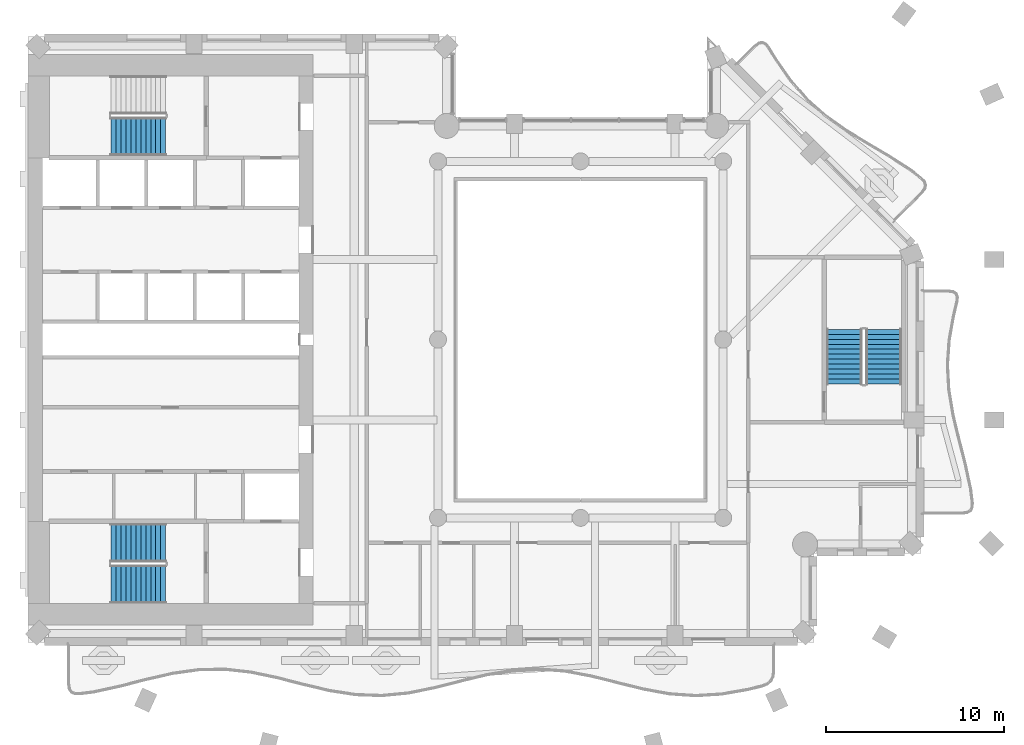
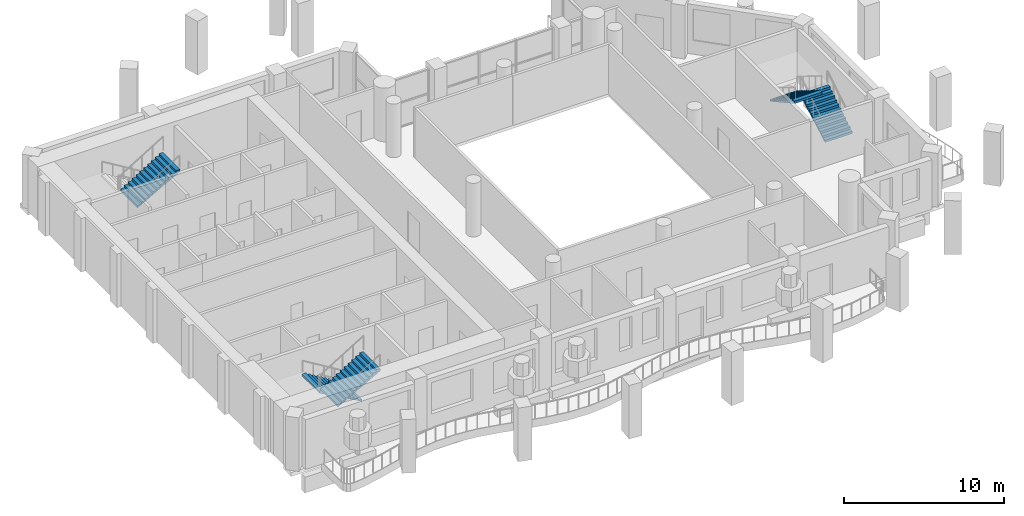
# One storey, part 7 of 14: 5 stair flights, 3 elements without a shape of their own.
"""IFC4 building model written with IfcOpenShell, lengths in metres."""

from ifc_helpers import new_model, si_unit, direction, frame, origin, place, context, subcontext, project, spatial, triangles, material, type_object, element, aggregate, save


model = new_model("IFC4")

# Units and contexts
model_context = context("Model", 3, precision=1e-05, world=origin(), true_north=direction((0.0, 1.0)))
body_context = subcontext(model_context, "Body", "Model", "MODEL_VIEW")
ifc_project = project(units=[si_unit("LENGTHUNIT", "METRE"), si_unit("AREAUNIT", "SQUARE_METRE"), si_unit("VOLUMEUNIT", "CUBIC_METRE"), si_unit("PLANEANGLEUNIT", "RADIAN"), si_unit("MASSUNIT", "GRAM", prefix="KILO")], contexts=[model_context])

# Site, building, storey
site_placement = place(None, origin())
site = spatial("IfcSite", under=ifc_project, at=site_placement, CompositionType="ELEMENT")
building_placement = place(site_placement, origin())
building = spatial("IfcBuilding", under=site, at=building_placement, Name="Cypress Arch Tower", CompositionType="ELEMENT")
storey_placement = place(building_placement, frame((0.0, 0.0, 222.0)))
storey = spatial("IfcBuildingStorey", under=building, at=storey_placement, Name="L49", CompositionType="ELEMENT", Elevation=222.0)

# Stair, stair flights
ifc_material_1 = material(Name="Concrete C40/50", Category="concrete")
stair_type_1 = type_object("IfcStairType", Name="Exit stair ES1708-200", PredefinedType="HALF_TURN_STAIR", material=ifc_material_1)
stair_1_placement = place(storey_placement, origin())
stair_1 = element("IfcStair", 1, at=stair_1_placement, inside=storey, type_object=stair_type_1, Name="L49 Exit stair C", PredefinedType="HALF_TURN_STAIR")
ifc_material_2 = material(Name="Concrete C40/50", Category="concrete")
stair_flight_type_1 = type_object("IfcStairFlightType", Name="Exit stair flight ES1708-200", PredefinedType="STRAIGHT", material=ifc_material_2)
stair_flight_1_placement = place(storey_placement, frame((18.0, -2.5, 0.0), z_axis=(0.0, 0.0, 1.0), x_axis=(0.0, 1.0, 0.0)))
stair_flight_1 = element("IfcStairFlight", 2, at=stair_flight_1_placement, type_object=stair_flight_type_1, Name="C flight 1", NumberOfRisers=12, NumberOfTreads=11, PredefinedType="STRAIGHT", RiserHeight=0.170833333, TreadLength=0.28, context=body_context, shape_type="Tessellation", body=[
    triangles([(0.0, -1.0, 0.0), (0.0, -1.0, 0.1708984375), (0.280029296875, -1.0, 0.1708984375), (0.280029296875, -1.0, 0.341552734375), (0.56005859375, -1.0, 0.341552734375), (0.56005859375, -1.0, 0.512451171875), (0.840087890625, -1.0, 0.512451171875), (0.840087890625, -1.0, 0.683349609375), (1.1201171875, -1.0, 0.683349609375), (1.1201171875, -1.0, 0.854248046875), (1.39990234375, -1.0, 0.854248046875), (1.39990234375, -1.0, 1.02490234375), (1.679931640625, -1.0, 1.02490234375), (1.679931640625, -1.0, 1.19580078125), (1.9599609375, -1.0, 1.19580078125), (1.9599609375, -1.0, 1.36669921875), (2.239990234375, -1.0, 1.36669921875), (2.239990234375, -1.0, 1.53759765625), (2.52001953125, -1.0, 1.53759765625), (2.52001953125, -1.0, 1.708251953125), (2.800048828125, -1.0, 1.708251953125), (2.800048828125, -1.0, 1.879150390625), (3.080078125, -1.0, 1.879150390625), (3.080078125, -1.0, 1.70361328125), (3.080078125, 1.0, 1.70361328125), (3.080078125, 1.0, 1.879150390625), (2.800048828125, 1.0, 1.879150390625), (2.800048828125, 1.0, 1.708251953125), (2.52001953125, 1.0, 1.708251953125), (2.52001953125, 1.0, 1.53759765625), (2.239990234375, 1.0, 1.53759765625), (2.239990234375, 1.0, 1.36669921875), (1.9599609375, 1.0, 1.36669921875), (1.9599609375, 1.0, 1.19580078125), (1.679931640625, 1.0, 1.19580078125), (1.679931640625, 1.0, 1.02490234375), (1.39990234375, 1.0, 1.02490234375), (1.39990234375, 1.0, 0.854248046875), (1.1201171875, 1.0, 0.854248046875), (1.1201171875, 1.0, 0.683349609375), (0.840087890625, 1.0, 0.683349609375), (0.840087890625, 1.0, 0.512451171875), (0.56005859375, 1.0, 0.512451171875), (0.56005859375, 1.0, 0.341552734375), (0.280029296875, 1.0, 0.341552734375), (0.280029296875, 1.0, 0.1708984375), (0.0, 1.0, 0.1708984375), (0.0, 1.0, 0.0), (3.080078125, 0.0, 1.879150390625), (3.080078125, 0.0, 1.70361328125), (2.800048828125, 0.0, 1.879150390625), (2.800048828125, 0.0, 1.708251953125), (2.52001953125, 0.0, 1.708251953125), (2.52001953125, 0.0, 1.53759765625), (2.239990234375, 0.0, 1.53759765625), (2.239990234375, 0.0, 1.36669921875), (1.9599609375, 0.0, 1.36669921875), (1.9599609375, 0.0, 1.19580078125), (1.679931640625, 0.0, 1.19580078125), (1.679931640625, 0.0, 1.02490234375), (1.39990234375, 0.0, 1.02490234375), (1.39990234375, 0.0, 0.854248046875), (1.1201171875, 0.0, 0.854248046875), (1.1201171875, 0.0, 0.683349609375), (0.840087890625, 0.0, 0.683349609375), (0.840087890625, 0.0, 0.512451171875), (0.56005859375, 0.0, 0.512451171875), (0.56005859375, 0.0, 0.341552734375), (0.280029296875, 0.0, 0.341552734375), (0.280029296875, 0.0, 0.1708984375), (0.0, 0.0, 0.1708984375), (0.0, 0.0, 0.0)], [[24, 23, 22], [11, 10, 9], [19, 18, 17], [17, 16, 15], [15, 14, 13], [9, 8, 7], [7, 6, 5], [3, 2, 1], [21, 20, 19], [13, 12, 11], [5, 4, 3], [24, 22, 21], [24, 21, 19], [24, 19, 17], [24, 17, 15], [24, 15, 13], [24, 13, 11], [24, 11, 9], [24, 9, 7], [24, 7, 5], [1, 24, 5], [5, 3, 1], [25, 27, 26], [38, 40, 39], [30, 32, 31], [32, 34, 33], [34, 36, 35], [40, 42, 41], [42, 44, 43], [46, 48, 47], [28, 30, 29], [36, 38, 37], [44, 46, 45], [25, 28, 27], [25, 30, 28], [25, 32, 30], [25, 34, 32], [25, 36, 34], [25, 38, 36], [25, 40, 38], [25, 42, 40], [25, 44, 42], [48, 44, 25], [44, 48, 46], [50, 49, 23], [50, 23, 24], [25, 26, 49], [25, 49, 50], [49, 51, 22], [49, 22, 23], [26, 27, 51], [26, 51, 49], [51, 52, 21], [51, 21, 22], [27, 28, 52], [27, 52, 51], [52, 53, 20], [52, 20, 21], [28, 29, 53], [28, 53, 52], [53, 54, 19], [53, 19, 20], [29, 30, 54], [29, 54, 53], [54, 55, 18], [54, 18, 19], [30, 31, 55], [30, 55, 54], [55, 56, 17], [55, 17, 18], [31, 32, 56], [31, 56, 55], [56, 57, 16], [56, 16, 17], [32, 33, 57], [32, 57, 56], [57, 58, 15], [57, 15, 16], [33, 34, 58], [33, 58, 57], [58, 59, 14], [58, 14, 15], [34, 35, 59], [34, 59, 58], [59, 60, 13], [59, 13, 14], [35, 36, 60], [35, 60, 59], [60, 61, 12], [60, 12, 13], [36, 37, 61], [36, 61, 60], [61, 62, 11], [61, 11, 12], [37, 38, 62], [37, 62, 61], [62, 63, 10], [62, 10, 11], [38, 39, 63], [38, 63, 62], [63, 64, 9], [63, 9, 10], [39, 40, 64], [39, 64, 63], [64, 65, 8], [64, 8, 9], [40, 41, 65], [40, 65, 64], [65, 66, 7], [65, 7, 8], [41, 42, 66], [41, 66, 65], [66, 67, 6], [66, 6, 7], [42, 43, 67], [42, 67, 66], [67, 68, 5], [67, 5, 6], [43, 44, 68], [43, 68, 67], [68, 69, 4], [68, 4, 5], [44, 45, 69], [44, 69, 68], [69, 70, 3], [69, 3, 4], [45, 46, 70], [45, 70, 69], [70, 71, 2], [70, 2, 3], [46, 47, 71], [46, 71, 70], [71, 72, 1], [71, 1, 2], [47, 48, 72], [47, 72, 71], [72, 50, 24], [72, 24, 1], [48, 25, 50], [48, 50, 72]], closed=True),
])
stair_flight_2_placement = place(storey_placement, frame((15.800048828125, 0.580078125, 2.050048828125), z_axis=(0.0, 0.0, 1.0), x_axis=(0.0, -1.0, 0.0)))
stair_flight_2 = element("IfcStairFlight", 3, at=stair_flight_2_placement, type_object=stair_flight_type_1, Name="C flight 2", NumberOfRisers=12, NumberOfTreads=11, PredefinedType="STRAIGHT", RiserHeight=0.170833333, TreadLength=0.28, context=body_context, shape_type="Tessellation", body=[
    triangles([(0.0, -1.0, 0.0), (0.0, -1.0, 0.1708984375), (0.280029296875, -1.0, 0.1708984375), (0.280029296875, -1.0, 0.341552734375), (0.56005859375, -1.0, 0.341552734375), (0.56005859375, -1.0, 0.512451171875), (0.840087890625, -1.0, 0.512451171875), (0.840087890625, -1.0, 0.683349609375), (1.1201171875, -1.0, 0.683349609375), (1.1201171875, -1.0, 0.854248046875), (1.39990234375, -1.0, 0.854248046875), (1.39990234375, -1.0, 1.02490234375), (1.679931640625, -1.0, 1.02490234375), (1.679931640625, -1.0, 1.19580078125), (1.9599609375, -1.0, 1.19580078125), (1.9599609375, -1.0, 1.36669921875), (2.239990234375, -1.0, 1.36669921875), (2.239990234375, -1.0, 1.53759765625), (2.52001953125, -1.0, 1.53759765625), (2.52001953125, -1.0, 1.708251953125), (2.800048828125, -1.0, 1.708251953125), (2.800048828125, -1.0, 1.879150390625), (3.080078125, -1.0, 1.879150390625), (3.080078125, -1.0, 1.70361328125), (3.080078125, 1.0, 1.70361328125), (3.080078125, 1.0, 1.879150390625), (2.800048828125, 1.0, 1.879150390625), (2.800048828125, 1.0, 1.708251953125), (2.52001953125, 1.0, 1.708251953125), (2.52001953125, 1.0, 1.53759765625), (2.239990234375, 1.0, 1.53759765625), (2.239990234375, 1.0, 1.36669921875), (1.9599609375, 1.0, 1.36669921875), (1.9599609375, 1.0, 1.19580078125), (1.679931640625, 1.0, 1.19580078125), (1.679931640625, 1.0, 1.02490234375), (1.39990234375, 1.0, 1.02490234375), (1.39990234375, 1.0, 0.854248046875), (1.1201171875, 1.0, 0.854248046875), (1.1201171875, 1.0, 0.683349609375), (0.840087890625, 1.0, 0.683349609375), (0.840087890625, 1.0, 0.512451171875), (0.56005859375, 1.0, 0.512451171875), (0.56005859375, 1.0, 0.341552734375), (0.280029296875, 1.0, 0.341552734375), (0.280029296875, 1.0, 0.1708984375), (0.0, 1.0, 0.1708984375), (0.0, 1.0, 0.0), (3.080078125, 0.0, 1.879150390625), (3.080078125, 0.0, 1.70361328125), (2.800048828125, 0.0, 1.879150390625), (2.800048828125, 0.0, 1.708251953125), (2.52001953125, 0.0, 1.708251953125), (2.52001953125, 0.0, 1.53759765625), (2.239990234375, 0.0, 1.53759765625), (2.239990234375, 0.0, 1.36669921875), (1.9599609375, 0.0, 1.36669921875), (1.9599609375, 0.0, 1.19580078125), (1.679931640625, 0.0, 1.19580078125), (1.679931640625, 0.0, 1.02490234375), (1.39990234375, 0.0, 1.02490234375), (1.39990234375, 0.0, 0.854248046875), (1.1201171875, 0.0, 0.854248046875), (1.1201171875, 0.0, 0.683349609375), (0.840087890625, 0.0, 0.683349609375), (0.840087890625, 0.0, 0.512451171875), (0.56005859375, 0.0, 0.512451171875), (0.56005859375, 0.0, 0.341552734375), (0.280029296875, 0.0, 0.341552734375), (0.280029296875, 0.0, 0.1708984375), (0.0, 0.0, 0.1708984375), (0.0, 0.0, 0.0)], [[24, 23, 22], [11, 10, 9], [19, 18, 17], [17, 16, 15], [15, 14, 13], [9, 8, 7], [7, 6, 5], [3, 2, 1], [21, 20, 19], [13, 12, 11], [5, 4, 3], [24, 22, 21], [24, 21, 19], [24, 19, 17], [24, 17, 15], [24, 15, 13], [24, 13, 11], [24, 11, 9], [24, 9, 7], [24, 7, 5], [1, 24, 5], [5, 3, 1], [25, 27, 26], [38, 40, 39], [30, 32, 31], [32, 34, 33], [34, 36, 35], [40, 42, 41], [42, 44, 43], [46, 48, 47], [28, 30, 29], [36, 38, 37], [44, 46, 45], [25, 28, 27], [25, 30, 28], [25, 32, 30], [25, 34, 32], [25, 36, 34], [25, 38, 36], [25, 40, 38], [25, 42, 40], [25, 44, 42], [48, 44, 25], [44, 48, 46], [50, 49, 23], [50, 23, 24], [25, 26, 49], [25, 49, 50], [49, 51, 22], [49, 22, 23], [26, 27, 51], [26, 51, 49], [51, 52, 21], [51, 21, 22], [27, 28, 52], [27, 52, 51], [52, 53, 20], [52, 20, 21], [28, 29, 53], [28, 53, 52], [53, 54, 19], [53, 19, 20], [29, 30, 54], [29, 54, 53], [54, 55, 18], [54, 18, 19], [30, 31, 55], [30, 55, 54], [55, 56, 17], [55, 17, 18], [31, 32, 56], [31, 56, 55], [56, 57, 16], [56, 16, 17], [32, 33, 57], [32, 57, 56], [57, 58, 15], [57, 15, 16], [33, 34, 58], [33, 58, 57], [58, 59, 14], [58, 14, 15], [34, 35, 59], [34, 59, 58], [59, 60, 13], [59, 13, 14], [35, 36, 60], [35, 60, 59], [60, 61, 12], [60, 12, 13], [36, 37, 61], [36, 61, 60], [61, 62, 11], [61, 11, 12], [37, 38, 62], [37, 62, 61], [62, 63, 10], [62, 10, 11], [38, 39, 63], [38, 63, 62], [63, 64, 9], [63, 9, 10], [39, 40, 64], [39, 64, 63], [64, 65, 8], [64, 8, 9], [40, 41, 65], [40, 65, 64], [65, 66, 7], [65, 7, 8], [41, 42, 66], [41, 66, 65], [66, 67, 6], [66, 6, 7], [42, 43, 67], [42, 67, 66], [67, 68, 5], [67, 5, 6], [43, 44, 68], [43, 68, 67], [68, 69, 4], [68, 4, 5], [44, 45, 69], [44, 69, 68], [69, 70, 3], [69, 3, 4], [45, 46, 70], [45, 70, 69], [70, 71, 2], [70, 2, 3], [46, 47, 71], [46, 71, 70], [71, 72, 1], [71, 1, 2], [47, 48, 72], [47, 72, 71], [72, 50, 24], [72, 24, 1], [48, 25, 50], [48, 50, 72]], closed=True),
])
aggregate(stair_1, [stair_flight_1, stair_flight_2])

ifc_material_3 = material(Name="Concrete C40/50", Category="concrete")
stair_type_2 = type_object("IfcStairType", Name="Exit stair ES1708-215", PredefinedType="HALF_TURN_STAIR", material=ifc_material_3)
stair_2_placement = place(storey_placement, origin())
stair_2 = element("IfcStair", 4, at=stair_2_placement, inside=storey, type_object=stair_type_2, Name="L49 Exit stair A", PredefinedType="HALF_TURN_STAIR")
ifc_material_4 = material(Name="Concrete C40/50", Category="concrete")
stair_flight_type_2 = type_object("IfcStairFlightType", Name="Exit stair flight ES1708-215", PredefinedType="STRAIGHT", material=ifc_material_4)
stair_flight_3_placement = place(storey_placement, frame((-22.27490234375, -11.39990234375, 0.0), z_axis=(0.0, 0.0, 1.0), x_axis=(-1.0, 0.0, 0.0)))
stair_flight_3 = element("IfcStairFlight", 5, at=stair_flight_3_placement, type_object=stair_flight_type_2, Name="A flight 1", NumberOfRisers=12, NumberOfTreads=11, PredefinedType="STRAIGHT", RiserHeight=0.170833333, TreadLength=0.28, context=body_context, shape_type="Tessellation", body=[
    triangles([(0.0, -1.074951171875, 0.0), (0.000244140625, -1.074951171875, 0.01904296875), (0.000244140625, -1.074951171875, 0.0380859375), (0.00048828125, -1.074951171875, 0.056884765625), (0.00048828125, -1.074951171875, 0.075927734375), (0.00048828125, -1.074951171875, 0.094970703125), (0.00048828125, -1.074951171875, 0.114013671875), (0.000244140625, -1.074951171875, 0.1328125), (0.000244140625, -1.074951171875, 0.15185546875), (0.0, -1.074951171875, 0.1708984375), (0.280029296875, -1.074951171875, 0.1708984375), (0.280029296875, -1.074951171875, 0.341552734375), (0.56005859375, -1.074951171875, 0.341552734375), (0.56005859375, -1.074951171875, 0.512451171875), (0.840087890625, -1.074951171875, 0.512451171875), (0.840087890625, -1.074951171875, 0.683349609375), (1.1201171875, -1.074951171875, 0.683349609375), (1.1201171875, -1.074951171875, 0.854248046875), (1.39990234375, -1.074951171875, 0.854248046875), (1.39990234375, -1.074951171875, 1.02490234375), (1.679931640625, -1.074951171875, 1.02490234375), (1.679931640625, -1.074951171875, 1.19580078125), (1.9599609375, -1.074951171875, 1.19580078125), (1.9599609375, -1.074951171875, 1.36669921875), (2.239990234375, -1.074951171875, 1.36669921875), (2.239990234375, -1.074951171875, 1.53759765625), (2.52001953125, -1.074951171875, 1.53759765625), (2.52001953125, -1.074951171875, 1.708251953125), (2.800048828125, -1.074951171875, 1.708251953125), (2.800048828125, -1.074951171875, 1.879150390625), (3.080078125, -1.074951171875, 1.879150390625), (3.079833984375, -1.074951171875, 1.859619140625), (3.079833984375, -1.074951171875, 1.840087890625), (3.07958984375, -1.074951171875, 1.820556640625), (3.07958984375, -1.074951171875, 1.801025390625), (3.07958984375, -1.074951171875, 1.78173828125), (3.07958984375, -1.074951171875, 1.76220703125), (3.079833984375, -1.074951171875, 1.74267578125), (3.079833984375, -1.074951171875, 1.72314453125), (3.080078125, -1.074951171875, 1.70361328125), (3.080078125, 1.074951171875, 1.70361328125), (3.079833984375, 1.074951171875, 1.72314453125), (3.079833984375, 1.074951171875, 1.74267578125), (3.07958984375, 1.074951171875, 1.76220703125), (3.07958984375, 1.074951171875, 1.78173828125), (3.07958984375, 1.074951171875, 1.801025390625), (3.07958984375, 1.074951171875, 1.820556640625), (3.079833984375, 1.074951171875, 1.840087890625), (3.079833984375, 1.074951171875, 1.859619140625), (3.080078125, 1.074951171875, 1.879150390625), (2.800048828125, 1.074951171875, 1.879150390625), (2.800048828125, 1.074951171875, 1.708251953125), (2.52001953125, 1.074951171875, 1.708251953125), (2.52001953125, 1.074951171875, 1.53759765625), (2.239990234375, 1.074951171875, 1.53759765625), (2.239990234375, 1.074951171875, 1.36669921875), (1.9599609375, 1.074951171875, 1.36669921875), (1.9599609375, 1.074951171875, 1.19580078125), (1.679931640625, 1.074951171875, 1.19580078125), (1.679931640625, 1.074951171875, 1.02490234375), (1.39990234375, 1.074951171875, 1.02490234375), (1.39990234375, 1.074951171875, 0.854248046875), (1.1201171875, 1.074951171875, 0.854248046875), (1.1201171875, 1.074951171875, 0.683349609375), (0.840087890625, 1.074951171875, 0.683349609375), (0.840087890625, 1.074951171875, 0.512451171875), (0.56005859375, 1.074951171875, 0.512451171875), (0.56005859375, 1.074951171875, 0.341552734375), (0.280029296875, 1.074951171875, 0.341552734375), (0.280029296875, 1.074951171875, 0.1708984375), (0.0, 1.074951171875, 0.1708984375), (0.000244140625, 1.074951171875, 0.15185546875), (0.000244140625, 1.074951171875, 0.1328125), (0.00048828125, 1.074951171875, 0.114013671875), (0.00048828125, 1.074951171875, 0.094970703125), (0.00048828125, 1.074951171875, 0.075927734375), (0.00048828125, 1.074951171875, 0.056884765625), (0.000244140625, 1.074951171875, 0.0380859375), (0.000244140625, 1.074951171875, 0.01904296875), (0.0, 1.074951171875, 0.0)], [[40, 39, 30], [39, 38, 30], [38, 37, 30], [37, 36, 30], [36, 35, 30], [35, 34, 30], [34, 33, 30], [33, 32, 30], [32, 31, 30], [19, 18, 17], [27, 26, 25], [25, 24, 23], [23, 22, 21], [17, 16, 15], [15, 14, 13], [10, 9, 11], [9, 8, 11], [8, 7, 11], [7, 6, 11], [6, 5, 11], [5, 4, 11], [4, 3, 11], [3, 2, 11], [2, 1, 11], [29, 28, 27], [21, 20, 19], [13, 12, 11], [40, 30, 29], [40, 29, 27], [40, 27, 25], [40, 25, 23], [40, 23, 21], [40, 21, 19], [40, 19, 17], [40, 17, 15], [40, 15, 13], [1, 40, 13], [13, 11, 1], [41, 51, 42], [42, 51, 43], [43, 51, 44], [44, 51, 45], [45, 51, 46], [46, 51, 47], [47, 51, 48], [48, 51, 49], [49, 51, 50], [62, 64, 63], [54, 56, 55], [56, 58, 57], [58, 60, 59], [64, 66, 65], [66, 68, 67], [71, 70, 72], [72, 70, 73], [73, 70, 74], [74, 70, 75], [75, 70, 76], [76, 70, 77], [77, 70, 78], [78, 70, 79], [79, 70, 80], [52, 54, 53], [60, 62, 61], [68, 70, 69], [41, 52, 51], [41, 54, 52], [41, 56, 54], [41, 58, 56], [41, 60, 58], [41, 62, 60], [41, 64, 62], [41, 66, 64], [41, 68, 66], [80, 68, 41], [68, 80, 70], [41, 42, 39], [41, 39, 40], [42, 43, 38], [42, 38, 39], [43, 44, 37], [43, 37, 38], [44, 45, 36], [44, 36, 37], [45, 46, 35], [45, 35, 36], [46, 47, 34], [46, 34, 35], [47, 48, 33], [47, 33, 34], [48, 49, 32], [48, 32, 33], [49, 50, 31], [49, 31, 32], [50, 51, 30], [50, 30, 31], [51, 52, 29], [51, 29, 30], [52, 53, 28], [52, 28, 29], [53, 54, 27], [53, 27, 28], [54, 55, 26], [54, 26, 27], [55, 56, 25], [55, 25, 26], [56, 57, 24], [56, 24, 25], [57, 58, 23], [57, 23, 24], [58, 59, 22], [58, 22, 23], [59, 60, 21], [59, 21, 22], [60, 61, 20], [60, 20, 21], [61, 62, 19], [61, 19, 20], [62, 63, 18], [62, 18, 19], [63, 64, 17], [63, 17, 18], [64, 65, 16], [64, 16, 17], [65, 66, 15], [65, 15, 16], [66, 67, 14], [66, 14, 15], [67, 68, 13], [67, 13, 14], [68, 69, 12], [68, 12, 13], [69, 70, 11], [69, 11, 12], [70, 71, 10], [70, 10, 11], [71, 72, 9], [71, 9, 10], [72, 73, 8], [72, 8, 9], [73, 74, 7], [73, 7, 8], [74, 75, 6], [74, 6, 7], [75, 76, 5], [75, 5, 6], [76, 77, 4], [76, 4, 5], [77, 78, 3], [77, 3, 4], [78, 79, 2], [78, 2, 3], [79, 80, 1], [79, 1, 2], [80, 41, 40], [80, 40, 1]], closed=True),
])
stair_flight_4_placement = place(storey_placement, frame((-25.35498046875, -13.72509765625, 2.050048828125), z_axis=(0.0, 0.0, 1.0), x_axis=(1.0, 0.0, 0.0)))
stair_flight_4 = element("IfcStairFlight", 6, at=stair_flight_4_placement, type_object=stair_flight_type_2, Name="A flight 2", NumberOfRisers=12, NumberOfTreads=11, PredefinedType="STRAIGHT", RiserHeight=0.170833333, TreadLength=0.28, context=body_context, shape_type="Tessellation", body=[
    triangles([(0.0, -1.074951171875, 0.0), (0.000244140625, -1.074951171875, 0.01904296875), (0.000244140625, -1.074951171875, 0.0380859375), (0.00048828125, -1.074951171875, 0.056884765625), (0.00048828125, -1.074951171875, 0.075927734375), (0.00048828125, -1.074951171875, 0.094970703125), (0.00048828125, -1.074951171875, 0.114013671875), (0.000244140625, -1.074951171875, 0.1328125), (0.000244140625, -1.074951171875, 0.15185546875), (0.0, -1.074951171875, 0.1708984375), (0.280029296875, -1.074951171875, 0.1708984375), (0.280029296875, -1.074951171875, 0.341552734375), (0.56005859375, -1.074951171875, 0.341552734375), (0.56005859375, -1.074951171875, 0.512451171875), (0.840087890625, -1.074951171875, 0.512451171875), (0.840087890625, -1.074951171875, 0.683349609375), (1.1201171875, -1.074951171875, 0.683349609375), (1.1201171875, -1.074951171875, 0.854248046875), (1.39990234375, -1.074951171875, 0.854248046875), (1.39990234375, -1.074951171875, 1.02490234375), (1.679931640625, -1.074951171875, 1.02490234375), (1.679931640625, -1.074951171875, 1.19580078125), (1.9599609375, -1.074951171875, 1.19580078125), (1.9599609375, -1.074951171875, 1.36669921875), (2.239990234375, -1.074951171875, 1.36669921875), (2.239990234375, -1.074951171875, 1.53759765625), (2.52001953125, -1.074951171875, 1.53759765625), (2.52001953125, -1.074951171875, 1.708251953125), (2.800048828125, -1.074951171875, 1.708251953125), (2.800048828125, -1.074951171875, 1.879150390625), (3.080078125, -1.074951171875, 1.879150390625), (3.079833984375, -1.074951171875, 1.859619140625), (3.079833984375, -1.074951171875, 1.840087890625), (3.07958984375, -1.074951171875, 1.820556640625), (3.07958984375, -1.074951171875, 1.801025390625), (3.07958984375, -1.074951171875, 1.78173828125), (3.07958984375, -1.074951171875, 1.76220703125), (3.079833984375, -1.074951171875, 1.74267578125), (3.079833984375, -1.074951171875, 1.72314453125), (3.080078125, -1.074951171875, 1.70361328125), (3.080078125, 1.074951171875, 1.70361328125), (3.079833984375, 1.074951171875, 1.72314453125), (3.079833984375, 1.074951171875, 1.74267578125), (3.07958984375, 1.074951171875, 1.76220703125), (3.07958984375, 1.074951171875, 1.78173828125), (3.07958984375, 1.074951171875, 1.801025390625), (3.07958984375, 1.074951171875, 1.820556640625), (3.079833984375, 1.074951171875, 1.840087890625), (3.079833984375, 1.074951171875, 1.859619140625), (3.080078125, 1.074951171875, 1.879150390625), (2.800048828125, 1.074951171875, 1.879150390625), (2.800048828125, 1.074951171875, 1.708251953125), (2.52001953125, 1.074951171875, 1.708251953125), (2.52001953125, 1.074951171875, 1.53759765625), (2.239990234375, 1.074951171875, 1.53759765625), (2.239990234375, 1.074951171875, 1.36669921875), (1.9599609375, 1.074951171875, 1.36669921875), (1.9599609375, 1.074951171875, 1.19580078125), (1.679931640625, 1.074951171875, 1.19580078125), (1.679931640625, 1.074951171875, 1.02490234375), (1.39990234375, 1.074951171875, 1.02490234375), (1.39990234375, 1.074951171875, 0.854248046875), (1.1201171875, 1.074951171875, 0.854248046875), (1.1201171875, 1.074951171875, 0.683349609375), (0.840087890625, 1.074951171875, 0.683349609375), (0.840087890625, 1.074951171875, 0.512451171875), (0.56005859375, 1.074951171875, 0.512451171875), (0.56005859375, 1.074951171875, 0.341552734375), (0.280029296875, 1.074951171875, 0.341552734375), (0.280029296875, 1.074951171875, 0.1708984375), (0.0, 1.074951171875, 0.1708984375), (0.000244140625, 1.074951171875, 0.15185546875), (0.000244140625, 1.074951171875, 0.1328125), (0.00048828125, 1.074951171875, 0.114013671875), (0.00048828125, 1.074951171875, 0.094970703125), (0.00048828125, 1.074951171875, 0.075927734375), (0.00048828125, 1.074951171875, 0.056884765625), (0.000244140625, 1.074951171875, 0.0380859375), (0.000244140625, 1.074951171875, 0.01904296875), (0.0, 1.074951171875, 0.0)], [[40, 39, 30], [39, 38, 30], [38, 37, 30], [37, 36, 30], [36, 35, 30], [35, 34, 30], [34, 33, 30], [33, 32, 30], [32, 31, 30], [19, 18, 17], [27, 26, 25], [25, 24, 23], [23, 22, 21], [17, 16, 15], [15, 14, 13], [10, 9, 11], [9, 8, 11], [8, 7, 11], [7, 6, 11], [6, 5, 11], [5, 4, 11], [4, 3, 11], [3, 2, 11], [2, 1, 11], [29, 28, 27], [21, 20, 19], [13, 12, 11], [40, 30, 29], [40, 29, 27], [40, 27, 25], [40, 25, 23], [40, 23, 21], [40, 21, 19], [40, 19, 17], [40, 17, 15], [40, 15, 13], [1, 40, 13], [13, 11, 1], [41, 51, 42], [42, 51, 43], [43, 51, 44], [44, 51, 45], [45, 51, 46], [46, 51, 47], [47, 51, 48], [48, 51, 49], [49, 51, 50], [62, 64, 63], [54, 56, 55], [56, 58, 57], [58, 60, 59], [64, 66, 65], [66, 68, 67], [71, 70, 72], [72, 70, 73], [73, 70, 74], [74, 70, 75], [75, 70, 76], [76, 70, 77], [77, 70, 78], [78, 70, 79], [79, 70, 80], [52, 54, 53], [60, 62, 61], [68, 70, 69], [41, 52, 51], [41, 54, 52], [41, 56, 54], [41, 58, 56], [41, 60, 58], [41, 62, 60], [41, 64, 62], [41, 66, 64], [41, 68, 66], [80, 68, 41], [68, 80, 70], [41, 42, 39], [41, 39, 40], [42, 43, 38], [42, 38, 39], [43, 44, 37], [43, 37, 38], [44, 45, 36], [44, 36, 37], [45, 46, 35], [45, 35, 36], [46, 47, 34], [46, 34, 35], [47, 48, 33], [47, 33, 34], [48, 49, 32], [48, 32, 33], [49, 50, 31], [49, 31, 32], [50, 51, 30], [50, 30, 31], [51, 52, 29], [51, 29, 30], [52, 53, 28], [52, 28, 29], [53, 54, 27], [53, 27, 28], [54, 55, 26], [54, 26, 27], [55, 56, 25], [55, 25, 26], [56, 57, 24], [56, 24, 25], [57, 58, 23], [57, 23, 24], [58, 59, 22], [58, 22, 23], [59, 60, 21], [59, 21, 22], [60, 61, 20], [60, 20, 21], [61, 62, 19], [61, 19, 20], [62, 63, 18], [62, 18, 19], [63, 64, 17], [63, 17, 18], [64, 65, 16], [64, 16, 17], [65, 66, 15], [65, 15, 16], [66, 67, 14], [66, 14, 15], [67, 68, 13], [67, 13, 14], [68, 69, 12], [68, 12, 13], [69, 70, 11], [69, 11, 12], [70, 71, 10], [70, 10, 11], [71, 72, 9], [71, 9, 10], [72, 73, 8], [72, 8, 9], [73, 74, 7], [73, 7, 8], [74, 75, 6], [74, 6, 7], [75, 76, 5], [75, 5, 6], [76, 77, 4], [76, 4, 5], [77, 78, 3], [77, 3, 4], [78, 79, 2], [78, 2, 3], [79, 80, 1], [79, 1, 2], [80, 41, 40], [80, 40, 1]], closed=True),
])
aggregate(stair_2, [stair_flight_3, stair_flight_4])

# Stair, stair flight
stair_3_placement = place(storey_placement, origin())
stair_3 = element("IfcStair", 7, at=stair_3_placement, inside=storey, type_object=stair_type_2, Name="L49 Exit stair B", PredefinedType="HALF_TURN_STAIR")
stair_flight_5_placement = place(storey_placement, frame((-25.35498046875, 11.39990234375, 2.050048828125), z_axis=(0.0, 0.0, 1.0), x_axis=(1.0, 0.0, 0.0)))
stair_flight_5 = element("IfcStairFlight", 8, at=stair_flight_5_placement, type_object=stair_flight_type_2, Name="B flight 2", NumberOfRisers=12, NumberOfTreads=11, PredefinedType="STRAIGHT", RiserHeight=0.170833333, TreadLength=0.28, context=body_context, shape_type="Tessellation", body=[
    triangles([(0.0, -1.074951171875, 0.0), (0.000244140625, -1.074951171875, 0.01904296875), (0.000244140625, -1.074951171875, 0.0380859375), (0.00048828125, -1.074951171875, 0.056884765625), (0.00048828125, -1.074951171875, 0.075927734375), (0.00048828125, -1.074951171875, 0.094970703125), (0.00048828125, -1.074951171875, 0.114013671875), (0.000244140625, -1.074951171875, 0.1328125), (0.000244140625, -1.074951171875, 0.15185546875), (0.0, -1.074951171875, 0.1708984375), (0.280029296875, -1.074951171875, 0.1708984375), (0.280029296875, -1.074951171875, 0.341552734375), (0.56005859375, -1.074951171875, 0.341552734375), (0.56005859375, -1.074951171875, 0.512451171875), (0.840087890625, -1.074951171875, 0.512451171875), (0.840087890625, -1.074951171875, 0.683349609375), (1.1201171875, -1.074951171875, 0.683349609375), (1.1201171875, -1.074951171875, 0.854248046875), (1.39990234375, -1.074951171875, 0.854248046875), (1.39990234375, -1.074951171875, 1.02490234375), (1.679931640625, -1.074951171875, 1.02490234375), (1.679931640625, -1.074951171875, 1.19580078125), (1.9599609375, -1.074951171875, 1.19580078125), (1.9599609375, -1.074951171875, 1.36669921875), (2.239990234375, -1.074951171875, 1.36669921875), (2.239990234375, -1.074951171875, 1.53759765625), (2.52001953125, -1.074951171875, 1.53759765625), (2.52001953125, -1.074951171875, 1.708251953125), (2.800048828125, -1.074951171875, 1.708251953125), (2.800048828125, -1.074951171875, 1.879150390625), (3.080078125, -1.074951171875, 1.879150390625), (3.079833984375, -1.074951171875, 1.859619140625), (3.079833984375, -1.074951171875, 1.840087890625), (3.07958984375, -1.074951171875, 1.820556640625), (3.07958984375, -1.074951171875, 1.801025390625), (3.07958984375, -1.074951171875, 1.78173828125), (3.07958984375, -1.074951171875, 1.76220703125), (3.079833984375, -1.074951171875, 1.74267578125), (3.079833984375, -1.074951171875, 1.72314453125), (3.080078125, -1.074951171875, 1.70361328125), (3.080078125, 1.074951171875, 1.70361328125), (3.079833984375, 1.074951171875, 1.72314453125), (3.079833984375, 1.074951171875, 1.74267578125), (3.07958984375, 1.074951171875, 1.76220703125), (3.07958984375, 1.074951171875, 1.78173828125), (3.07958984375, 1.074951171875, 1.801025390625), (3.07958984375, 1.074951171875, 1.820556640625), (3.079833984375, 1.074951171875, 1.840087890625), (3.079833984375, 1.074951171875, 1.859619140625), (3.080078125, 1.074951171875, 1.879150390625), (2.800048828125, 1.074951171875, 1.879150390625), (2.800048828125, 1.074951171875, 1.708251953125), (2.52001953125, 1.074951171875, 1.708251953125), (2.52001953125, 1.074951171875, 1.53759765625), (2.239990234375, 1.074951171875, 1.53759765625), (2.239990234375, 1.074951171875, 1.36669921875), (1.9599609375, 1.074951171875, 1.36669921875), (1.9599609375, 1.074951171875, 1.19580078125), (1.679931640625, 1.074951171875, 1.19580078125), (1.679931640625, 1.074951171875, 1.02490234375), (1.39990234375, 1.074951171875, 1.02490234375), (1.39990234375, 1.074951171875, 0.854248046875), (1.1201171875, 1.074951171875, 0.854248046875), (1.1201171875, 1.074951171875, 0.683349609375), (0.840087890625, 1.074951171875, 0.683349609375), (0.840087890625, 1.074951171875, 0.512451171875), (0.56005859375, 1.074951171875, 0.512451171875), (0.56005859375, 1.074951171875, 0.341552734375), (0.280029296875, 1.074951171875, 0.341552734375), (0.280029296875, 1.074951171875, 0.1708984375), (0.0, 1.074951171875, 0.1708984375), (0.000244140625, 1.074951171875, 0.15185546875), (0.000244140625, 1.074951171875, 0.1328125), (0.00048828125, 1.074951171875, 0.114013671875), (0.00048828125, 1.074951171875, 0.094970703125), (0.00048828125, 1.074951171875, 0.075927734375), (0.00048828125, 1.074951171875, 0.056884765625), (0.000244140625, 1.074951171875, 0.0380859375), (0.000244140625, 1.074951171875, 0.01904296875), (0.0, 1.074951171875, 0.0)], [[40, 39, 30], [39, 38, 30], [38, 37, 30], [37, 36, 30], [36, 35, 30], [35, 34, 30], [34, 33, 30], [33, 32, 30], [32, 31, 30], [19, 18, 17], [27, 26, 25], [25, 24, 23], [23, 22, 21], [17, 16, 15], [15, 14, 13], [10, 9, 11], [9, 8, 11], [8, 7, 11], [7, 6, 11], [6, 5, 11], [5, 4, 11], [4, 3, 11], [3, 2, 11], [2, 1, 11], [29, 28, 27], [21, 20, 19], [13, 12, 11], [40, 30, 29], [40, 29, 27], [40, 27, 25], [40, 25, 23], [40, 23, 21], [40, 21, 19], [40, 19, 17], [40, 17, 15], [40, 15, 13], [1, 40, 13], [13, 11, 1], [41, 51, 42], [42, 51, 43], [43, 51, 44], [44, 51, 45], [45, 51, 46], [46, 51, 47], [47, 51, 48], [48, 51, 49], [49, 51, 50], [62, 64, 63], [54, 56, 55], [56, 58, 57], [58, 60, 59], [64, 66, 65], [66, 68, 67], [71, 70, 72], [72, 70, 73], [73, 70, 74], [74, 70, 75], [75, 70, 76], [76, 70, 77], [77, 70, 78], [78, 70, 79], [79, 70, 80], [52, 54, 53], [60, 62, 61], [68, 70, 69], [41, 52, 51], [41, 54, 52], [41, 56, 54], [41, 58, 56], [41, 60, 58], [41, 62, 60], [41, 64, 62], [41, 66, 64], [41, 68, 66], [80, 68, 41], [68, 80, 70], [41, 42, 39], [41, 39, 40], [42, 43, 38], [42, 38, 39], [43, 44, 37], [43, 37, 38], [44, 45, 36], [44, 36, 37], [45, 46, 35], [45, 35, 36], [46, 47, 34], [46, 34, 35], [47, 48, 33], [47, 33, 34], [48, 49, 32], [48, 32, 33], [49, 50, 31], [49, 31, 32], [50, 51, 30], [50, 30, 31], [51, 52, 29], [51, 29, 30], [52, 53, 28], [52, 28, 29], [53, 54, 27], [53, 27, 28], [54, 55, 26], [54, 26, 27], [55, 56, 25], [55, 25, 26], [56, 57, 24], [56, 24, 25], [57, 58, 23], [57, 23, 24], [58, 59, 22], [58, 22, 23], [59, 60, 21], [59, 21, 22], [60, 61, 20], [60, 20, 21], [61, 62, 19], [61, 19, 20], [62, 63, 18], [62, 18, 19], [63, 64, 17], [63, 17, 18], [64, 65, 16], [64, 16, 17], [65, 66, 15], [65, 15, 16], [66, 67, 14], [66, 14, 15], [67, 68, 13], [67, 13, 14], [68, 69, 12], [68, 12, 13], [69, 70, 11], [69, 11, 12], [70, 71, 10], [70, 10, 11], [71, 72, 9], [71, 9, 10], [72, 73, 8], [72, 8, 9], [73, 74, 7], [73, 7, 8], [74, 75, 6], [74, 6, 7], [75, 76, 5], [75, 5, 6], [76, 77, 4], [76, 4, 5], [77, 78, 3], [77, 3, 4], [78, 79, 2], [78, 2, 3], [79, 80, 1], [79, 1, 2], [80, 41, 40], [80, 40, 1]], closed=True),
])
aggregate(stair_3, [stair_flight_5])

save(model, "model.ifc")
